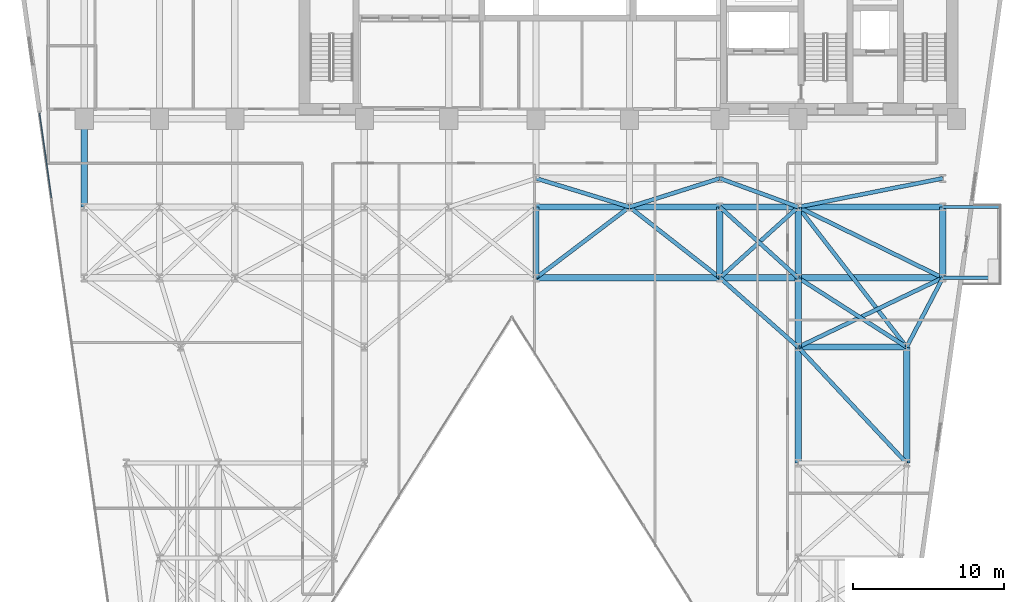
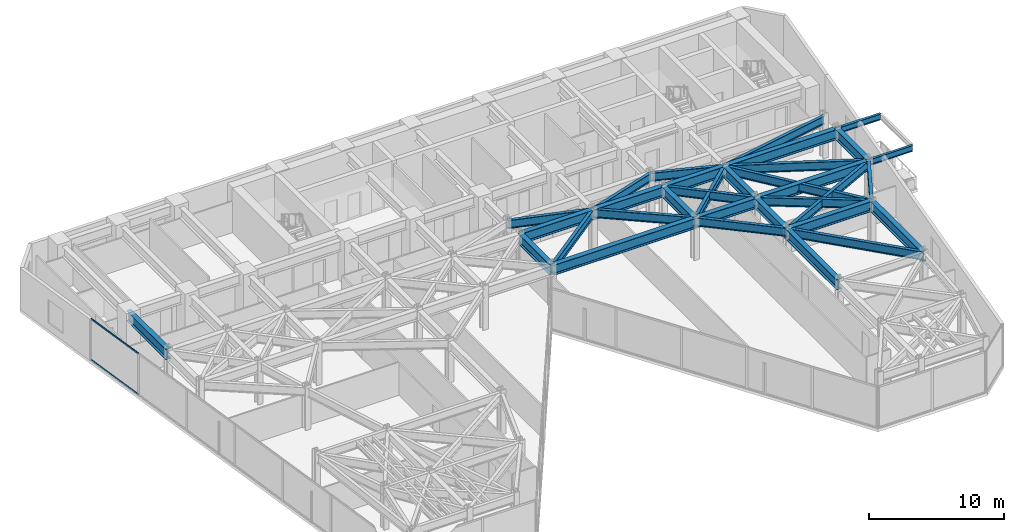
# One storey, part 16 of 24: 33 beams, 2 members, 1 element without a shape of its own.
"""IFC4 building model written with IfcOpenShell, lengths in metres."""

from ifc_helpers import new_model, si_unit, direction, frame, origin, origin_2d, place, context, subcontext, project, spatial, hollow_rectangle, i_section, extrude, material, layer, layer_set, material_profile, profile_set, type_object, element, aggregate, save


model = new_model("IFC4")

# Units and contexts
model_context = context("Model", 3, precision=1e-05, world=origin(), true_north=direction((0.0, 1.0)))
body_context = subcontext(model_context, "Body", "Model", "MODEL_VIEW")
ifc_project = project(units=[si_unit("LENGTHUNIT", "METRE"), si_unit("AREAUNIT", "SQUARE_METRE"), si_unit("VOLUMEUNIT", "CUBIC_METRE"), si_unit("PLANEANGLEUNIT", "RADIAN"), si_unit("MASSUNIT", "GRAM", prefix="KILO")], contexts=[model_context])

# Site, building, storey
site_placement = place(None, origin())
site = spatial("IfcSite", under=ifc_project, at=site_placement, CompositionType="ELEMENT")
building_placement = place(site_placement, origin())
building = spatial("IfcBuilding", under=site, at=building_placement, Name="Kravanh Interchange Tower", CompositionType="ELEMENT")
storey_placement = place(building_placement, frame((0.0, 0.0, 45.5)))
storey = spatial("IfcBuildingStorey", under=building, at=storey_placement, Name="L10", CompositionType="ELEMENT", Elevation=45.5)

# Curtain wall, members
ifc_material_1 = material(Name="Anodised Bronze Aluminium", Category="aluminium")
ifc_layer = layer(ifc_material_1, 0.179931640625)
ifc_layer_set = layer_set([ifc_layer], Name="Unitised Curtain Wall System CW-Z1 Lower Office")
curtain_wall_type = type_object("IfcCurtainWallType", Name="Unitised Curtain Wall System CW-Z1 Lower Office", PredefinedType="NOTDEFINED", material=ifc_layer_set)
curtain_wall_placement = place(storey_placement, origin())
curtain_wall = element("IfcCurtainWall", 1, at=curtain_wall_placement, inside=storey, type_object=curtain_wall_type, Name="L10 Unitised Curtain Wall CW-L10-01", PredefinedType="NOTDEFINED")
ifc_material_2 = material(Name="Anodised Bronze Aluminium", Category="aluminium")
ifc_material_profile_1 = material_profile(ifc_material_2, hollow_rectangle(XDim=0.06005859375, YDim=0.139892578125, WallThickness=0.00390625, at=origin_2d()), Name="ALU60X140X4")
ifc_profile_set_1 = profile_set([ifc_material_profile_1], Name="Anodised Bronze Aluminium")
member_type = type_object("IfcMemberType", Name="Curtain Wall Transom ALU60X140X4 Bronze", PredefinedType="USERDEFINED", material=ifc_profile_set_1)
member_1_placement = place(storey_placement, frame((6.422607421875, 32.1240234375, 0.030029296875), z_axis=(-0.139193386559, 0.990265217575, 0.0), x_axis=(-0.990265217575, -0.139193386559, 0.0)))
member_1 = element("IfcMember", 2, at=member_1_placement, type_object=member_type, Name="CW-Z1 transom 6.1", ObjectType="TRANSOM", PredefinedType="USERDEFINED", context=body_context, shape_type="SweptSolid", body=[
    extrude(hollow_rectangle(XDim=0.06005859375, YDim=0.139892578125, WallThickness=0.00390625, at=origin_2d()), origin(), (0.0, 0.0, 1.0), 5.661865234375),
])
member_2_placement = place(storey_placement, frame((6.422607421875, 32.1240234375, 3.7099609375), z_axis=(-0.139193386559, 0.990265217575, 0.0), x_axis=(-0.990265217575, -0.139193386559, 0.0)))
member_2 = element("IfcMember", 3, at=member_2_placement, type_object=member_type, Name="CW-Z1 transom 6.2", ObjectType="TRANSOM", PredefinedType="USERDEFINED", context=body_context, shape_type="SweptSolid", body=[
    extrude(hollow_rectangle(XDim=0.06005859375, YDim=0.139892578125, WallThickness=0.00390625, at=origin_2d()), origin(), (0.0, 0.0, 1.0), 5.661865234375),
])
aggregate(curtain_wall, [member_1, member_2])

# Beams
ifc_material_3 = material(Name="Structural Steel S355", Category="steel")
ifc_material_profile_2 = material_profile(ifc_material_3, i_section(OverallWidth=0.41796875, OverallDepth=0.927001953125, WebThickness=0.019287109375, FlangeThickness=0.031982421875, FilletRadius=0.028076171875, at=origin_2d()), Name="W36X231")
ifc_profile_set_2 = profile_set([ifc_material_profile_2], Name="Structural Steel S355")
beam_type_1 = type_object("IfcBeamType", Name="Floor Beam W36X231 Structural Steel S355", PredefinedType="BEAM", material=ifc_profile_set_2)
beam_1_placement = place(storey_placement, frame((8.60009765625, 37.35009765625, 3.276611328125), z_axis=(0.0, -1.0, 0.0), x_axis=(1.0, 0.0, 0.0)))
element("IfcBeam", 4, at=beam_1_placement, inside=storey, type_object=beam_type_1, Name="L10 Primary Floor Girder 36", PredefinedType="BEAM", context=body_context, shape_type="SweptSolid", body=[
    extrude(i_section(OverallWidth=0.41796875, OverallDepth=0.927001953125, WebThickness=0.019287109375, FlangeThickness=0.031982421875, FilletRadius=0.028076171875, at=origin_2d()), origin(), (0.0, 0.0, 1.0), 5.85009765625),
])
for number, where, z_axis, x_axis, name in (
    (5, (56.0, 14.5, 3.276611328125), (0.0, 1.0, 0.0), (-1.0, 0.0, 0.0), "L10 Primary Floor Girder 44"),
    (6, (63.199951171875, 14.5, 3.276611328125), (0.0, 1.0, 0.0), (-1.0, 0.0, 0.0), "L10 Primary Floor Girder 47"),
):
    element("IfcBeam", number, at=place(storey_placement, frame(where, z_axis=z_axis, x_axis=x_axis)), inside=storey, type_object=beam_type_1, Name=name, PredefinedType="BEAM", context=body_context, shape_type="SweptSolid", body=[
        extrude(i_section(OverallWidth=0.41796875, OverallDepth=0.927001953125, WebThickness=0.019287109375, FlangeThickness=0.031982421875, FilletRadius=0.028076171875, at=origin_2d()), origin(), (0.0, 0.0, 1.0), 7.699951171875),
    ])
beam_2_placement = place(storey_placement, frame((56.0, 22.199951171875, 3.276611328125), z_axis=(0.0, 1.0, 0.0), x_axis=(-1.0, 0.0, 0.0)))
element("IfcBeam", 7, at=beam_2_placement, inside=storey, type_object=beam_type_1, Name="L10 Primary Floor Girder 58", PredefinedType="BEAM", context=body_context, shape_type="SweptSolid", body=[
    extrude(i_section(OverallWidth=0.41796875, OverallDepth=0.927001953125, WebThickness=0.019287109375, FlangeThickness=0.031982421875, FilletRadius=0.028076171875, at=origin_2d()), origin(), (0.0, 0.0, 1.0), 4.60009765625),
])
beam_3_placement = place(storey_placement, frame((56.0, 22.199951171875, 3.276611328125), z_axis=(1.0, 0.0, 0.0), x_axis=(0.0, 1.0, 0.0)))
element("IfcBeam", 8, at=beam_3_placement, inside=storey, type_object=beam_type_1, Name="L10 Primary Floor Girder 60", PredefinedType="BEAM", context=body_context, shape_type="SweptSolid", body=[
    extrude(i_section(OverallWidth=0.41796875, OverallDepth=0.927001953125, WebThickness=0.019287109375, FlangeThickness=0.031982421875, FilletRadius=0.028076171875, at=origin_2d()), origin(), (0.0, 0.0, 1.0), 7.199951171875),
])
beam_4_placement = place(storey_placement, frame((38.60009765625, 26.800048828125, 3.276611328125), z_axis=(0.0, 1.0, 0.0), x_axis=(-1.0, 0.0, 0.0)))
element("IfcBeam", 9, at=beam_4_placement, inside=storey, type_object=beam_type_1, Name="L10 Primary Floor Girder 86", PredefinedType="BEAM", context=body_context, shape_type="SweptSolid", body=[
    extrude(i_section(OverallWidth=0.41796875, OverallDepth=0.927001953125, WebThickness=0.019287109375, FlangeThickness=0.031982421875, FilletRadius=0.028076171875, at=origin_2d()), origin(), (0.0, 0.0, 1.0), 4.699951171875),
])
beam_5_placement = place(storey_placement, frame((38.60009765625, 26.800048828125, 3.276611328125), z_axis=(1.0, 0.0, 0.0), x_axis=(0.0, 1.0, 0.0)))
element("IfcBeam", 10, at=beam_5_placement, inside=storey, type_object=beam_type_1, Name="L10 Primary Floor Girder 89", PredefinedType="BEAM", context=body_context, shape_type="SweptSolid", body=[
    extrude(i_section(OverallWidth=0.41796875, OverallDepth=0.927001953125, WebThickness=0.019287109375, FlangeThickness=0.031982421875, FilletRadius=0.028076171875, at=origin_2d()), origin(), (0.0, 0.0, 1.0), 12.199951171875),
])
beam_6_placement = place(storey_placement, frame((50.800048828125, 26.800048828125, 3.276611328125), z_axis=(0.0, 1.0, 0.0), x_axis=(-1.0, 0.0, 0.0)))
element("IfcBeam", 11, at=beam_6_placement, inside=storey, type_object=beam_type_1, Name="L10 Primary Floor Girder 90", PredefinedType="BEAM", context=body_context, shape_type="SweptSolid", body=[
    extrude(i_section(OverallWidth=0.41796875, OverallDepth=0.927001953125, WebThickness=0.019287109375, FlangeThickness=0.031982421875, FilletRadius=0.028076171875, at=origin_2d()), origin(), (0.0, 0.0, 1.0), 4.699951171875),
])
beam_7_placement = place(storey_placement, frame((50.800048828125, 26.800048828125, 3.276611328125), z_axis=(1.0, 0.0, 0.0), x_axis=(0.0, 1.0, 0.0)))
element("IfcBeam", 12, at=beam_7_placement, inside=storey, type_object=beam_type_1, Name="L10 Primary Floor Girder 91", PredefinedType="BEAM", context=body_context, shape_type="SweptSolid", body=[
    extrude(i_section(OverallWidth=0.41796875, OverallDepth=0.927001953125, WebThickness=0.019287109375, FlangeThickness=0.031982421875, FilletRadius=0.028076171875, at=origin_2d()), origin(), (0.0, 0.0, 1.0), 5.199951171875),
])
beam_8_placement = place(storey_placement, frame((56.0, 26.800048828125, 3.276611328125), z_axis=(0.0, 1.0, 0.0), x_axis=(-1.0, 0.0, 0.0)))
element("IfcBeam", 13, at=beam_8_placement, inside=storey, type_object=beam_type_1, Name="L10 Primary Floor Girder 94", PredefinedType="BEAM", context=body_context, shape_type="SweptSolid", body=[
    extrude(i_section(OverallWidth=0.41796875, OverallDepth=0.927001953125, WebThickness=0.019287109375, FlangeThickness=0.031982421875, FilletRadius=0.028076171875, at=origin_2d()), origin(), (0.0, 0.0, 1.0), 4.699951171875),
])
beam_9_placement = place(storey_placement, frame((56.0, 26.800048828125, 3.276611328125), z_axis=(1.0, 0.0, 0.0), x_axis=(0.0, 1.0, 0.0)))
element("IfcBeam", 14, at=beam_9_placement, inside=storey, type_object=beam_type_1, Name="L10 Primary Floor Girder 97", PredefinedType="BEAM", context=body_context, shape_type="SweptSolid", body=[
    extrude(i_section(OverallWidth=0.41796875, OverallDepth=0.927001953125, WebThickness=0.019287109375, FlangeThickness=0.031982421875, FilletRadius=0.028076171875, at=origin_2d()), origin(), (0.0, 0.0, 1.0), 9.60009765625),
])
beam_10_placement = place(storey_placement, frame((65.60009765625, 26.800048828125, 3.276611328125), z_axis=(0.0, 1.0, 0.0), x_axis=(-1.0, 0.0, 0.0)))
element("IfcBeam", 15, at=beam_10_placement, inside=storey, type_object=beam_type_1, Name="L10 Primary Floor Girder 98", PredefinedType="BEAM", context=body_context, shape_type="SweptSolid", body=[
    extrude(i_section(OverallWidth=0.41796875, OverallDepth=0.927001953125, WebThickness=0.019287109375, FlangeThickness=0.031982421875, FilletRadius=0.028076171875, at=origin_2d()), origin(), (0.0, 0.0, 1.0), 4.699951171875),
])
beam_11_placement = place(storey_placement, frame((38.60009765625, 31.5, 3.276611328125), z_axis=(1.0, 0.0, 0.0), x_axis=(0.0, 1.0, 0.0)))
element("IfcBeam", 16, at=beam_11_placement, inside=storey, type_object=beam_type_1, Name="L10 Primary Floor Girder 111", PredefinedType="BEAM", context=body_context, shape_type="SweptSolid", body=[
    extrude(i_section(OverallWidth=0.41796875, OverallDepth=0.927001953125, WebThickness=0.019287109375, FlangeThickness=0.031982421875, FilletRadius=0.028076171875, at=origin_2d()), origin(), (0.0, 0.0, 1.0), 6.199951171875),
])
beam_12_placement = place(storey_placement, frame((44.800048828125, 31.5, 3.276611328125), z_axis=(1.0, 0.0, 0.0), x_axis=(0.0, 1.0, 0.0)))
element("IfcBeam", 17, at=beam_12_placement, inside=storey, type_object=beam_type_1, Name="L10 Primary Floor Girder 113", PredefinedType="BEAM", context=body_context, shape_type="SweptSolid", body=[
    extrude(i_section(OverallWidth=0.41796875, OverallDepth=0.927001953125, WebThickness=0.019287109375, FlangeThickness=0.031982421875, FilletRadius=0.028076171875, at=origin_2d()), origin(), (0.0, 0.0, 1.0), 6.0),
])
beam_13_placement = place(storey_placement, frame((50.800048828125, 31.5, 3.276611328125), z_axis=(1.0, 0.0, 0.0), x_axis=(0.0, 1.0, 0.0)))
element("IfcBeam", 18, at=beam_13_placement, inside=storey, type_object=beam_type_1, Name="L10 Primary Floor Girder 116", PredefinedType="BEAM", context=body_context, shape_type="SweptSolid", body=[
    extrude(i_section(OverallWidth=0.41796875, OverallDepth=0.927001953125, WebThickness=0.019287109375, FlangeThickness=0.031982421875, FilletRadius=0.028076171875, at=origin_2d()), origin(), (0.0, 0.0, 1.0), 5.199951171875),
])
beam_14_placement = place(storey_placement, frame((56.0, 31.5, 3.276611328125), z_axis=(1.0, 0.0, 0.0), x_axis=(0.0, 1.0, 0.0)))
element("IfcBeam", 19, at=beam_14_placement, inside=storey, type_object=beam_type_1, Name="L10 Primary Floor Girder 119", PredefinedType="BEAM", context=body_context, shape_type="SweptSolid", body=[
    extrude(i_section(OverallWidth=0.41796875, OverallDepth=0.927001953125, WebThickness=0.019287109375, FlangeThickness=0.031982421875, FilletRadius=0.028076171875, at=origin_2d()), origin(), (0.0, 0.0, 1.0), 9.60009765625),
])
ifc_material_4 = material(Name="Structural Steel S355", Category="steel")
ifc_material_profile_3 = material_profile(ifc_material_4, i_section(OverallWidth=0.2099609375, OverallDepth=0.537109375, WebThickness=0.010986328125, FlangeThickness=0.017333984375, FilletRadius=0.02001953125, at=origin_2d()), Name="W21X68")
ifc_profile_set_3 = profile_set([ifc_material_profile_3], Name="Structural Steel S355")
beam_type_2 = type_object("IfcBeamType", Name="Floor Spandrel W21X68 Structural Steel S355", PredefinedType="SPANDREL", material=ifc_profile_set_3)
for number, where, z_axis, x_axis, name in (
    (20, (65.60009765625, 26.800048828125, 3.471435546875), (1.0, 0.0, 0.0), (0.0, 1.0, 0.0), "L10 Balcony Cantilever Outrigger E1"),
    (21, (65.60009765625, 31.5, 3.471435546875), (1.0, 0.0, 0.0), (0.0, 1.0, 0.0), "L10 Balcony Cantilever Outrigger E2"),
):
    element("IfcBeam", number, at=place(storey_placement, frame(where, z_axis=z_axis, x_axis=x_axis)), inside=storey, type_object=beam_type_2, Name=name, PredefinedType="SPANDREL", context=body_context, shape_type="SweptSolid", body=[
        extrude(i_section(OverallWidth=0.2099609375, OverallDepth=0.537109375, WebThickness=0.010986328125, FlangeThickness=0.017333984375, FilletRadius=0.02001953125, at=origin_2d()), origin(), (0.0, 0.0, 1.0), 3.72998046875),
    ])
ifc_material_5 = material(Name="Structural Steel S355", Category="steel")
ifc_material_profile_4 = material_profile(ifc_material_5, i_section(OverallWidth=0.26708984375, OverallDepth=0.761962890625, WebThickness=0.014404296875, FlangeThickness=0.021484375, FilletRadius=0.02490234375, at=origin_2d()), Name="W30X116")
ifc_profile_set_4 = profile_set([ifc_material_profile_4], Name="Structural Steel S355")
beam_type_3 = type_object("IfcBeamType", Name="Floor Spandrel W30X116 Structural Steel S355", PredefinedType="SPANDREL", material=ifc_profile_set_4)
beam_15_placement = place(storey_placement, frame((63.199951171875, 14.5, 3.35888671875), z_axis=(-0.682993762113, 0.73042420614, 0.0), x_axis=(-0.73042420614, -0.682993762113, 0.0)))
element("IfcBeam", 22, at=beam_15_placement, inside=storey, type_object=beam_type_3, Name="L10 Perimeter Spandrel 49", PredefinedType="SPANDREL", context=body_context, shape_type="SweptSolid", body=[
    extrude(i_section(OverallWidth=0.26708984375, OverallDepth=0.761962890625, WebThickness=0.014404296875, FlangeThickness=0.021484375, FilletRadius=0.02490234375, at=origin_2d()), origin(), (0.0, 0.0, 1.0), 10.541748046875),
])
beam_16_placement = place(storey_placement, frame((56.0, 22.199951171875, 3.35888671875), z_axis=(-0.74898649432, 0.662585263439, 0.0), x_axis=(-0.662585263439, -0.74898649432, 0.0)))
element("IfcBeam", 23, at=beam_16_placement, inside=storey, type_object=beam_type_3, Name="L10 Perimeter Spandrel 59", PredefinedType="SPANDREL", context=body_context, shape_type="SweptSolid", body=[
    extrude(i_section(OverallWidth=0.26708984375, OverallDepth=0.761962890625, WebThickness=0.014404296875, FlangeThickness=0.021484375, FilletRadius=0.02490234375, at=origin_2d()), origin(), (0.0, 0.0, 1.0), 6.942626953125),
])
beam_17_placement = place(storey_placement, frame((56.0, 22.199951171875, 3.35888671875), z_axis=(0.901814166789, 0.432124066188, 0.0), x_axis=(-0.432124066188, 0.901814166789, 0.0)))
element("IfcBeam", 24, at=beam_17_placement, inside=storey, type_object=beam_type_3, Name="L10 Perimeter Spandrel 61", PredefinedType="SPANDREL", context=body_context, shape_type="SweptSolid", body=[
    extrude(i_section(OverallWidth=0.26708984375, OverallDepth=0.761962890625, WebThickness=0.014404296875, FlangeThickness=0.021484375, FilletRadius=0.02490234375, at=origin_2d()), origin(), (0.0, 0.0, 1.0), 10.645263671875),
])
beam_18_placement = place(storey_placement, frame((63.199951171875, 22.199951171875, 3.35888671875), z_axis=(0.462580479178, 0.886577295155, 0.0), x_axis=(-0.886577295155, 0.462580479178, 0.0)))
element("IfcBeam", 25, at=beam_18_placement, inside=storey, type_object=beam_type_3, Name="L10 Perimeter Spandrel 62", PredefinedType="SPANDREL", context=body_context, shape_type="SweptSolid", body=[
    extrude(i_section(OverallWidth=0.26708984375, OverallDepth=0.761962890625, WebThickness=0.014404296875, FlangeThickness=0.021484375, FilletRadius=0.02490234375, at=origin_2d()), origin(), (0.0, 0.0, 1.0), 5.188720703125),
])
beam_19_placement = place(storey_placement, frame((63.199951171875, 22.199951171875, 3.35888671875), z_axis=(-0.842689417531, 0.53839998661, 0.0), x_axis=(-0.53839998661, -0.842689417531, 0.0)))
element("IfcBeam", 26, at=beam_19_placement, inside=storey, type_object=beam_type_3, Name="L10 Perimeter Spandrel 63", PredefinedType="SPANDREL", context=body_context, shape_type="SweptSolid", body=[
    extrude(i_section(OverallWidth=0.26708984375, OverallDepth=0.761962890625, WebThickness=0.014404296875, FlangeThickness=0.021484375, FilletRadius=0.02490234375, at=origin_2d()), origin(), (0.0, 0.0, 1.0), 8.5439453125),
])
beam_20_placement = place(storey_placement, frame((63.199951171875, 22.199951171875, 3.35888671875), z_axis=(-0.612168587637, 0.790727273028, 0.0), x_axis=(-0.790727273028, -0.612168587637, 0.0)))
element("IfcBeam", 27, at=beam_20_placement, inside=storey, type_object=beam_type_3, Name="L10 Perimeter Spandrel 65", PredefinedType="SPANDREL", context=body_context, shape_type="SweptSolid", body=[
    extrude(i_section(OverallWidth=0.26708984375, OverallDepth=0.761962890625, WebThickness=0.014404296875, FlangeThickness=0.021484375, FilletRadius=0.02490234375, at=origin_2d()), origin(), (0.0, 0.0, 1.0), 11.761474609375),
])
beam_21_placement = place(storey_placement, frame((38.60009765625, 26.800048828125, 3.35888671875), z_axis=(0.796905365509, 0.604104161898, 0.0), x_axis=(-0.604104161898, 0.796905365509, 0.0)))
element("IfcBeam", 28, at=beam_21_placement, inside=storey, type_object=beam_type_3, Name="L10 Perimeter Spandrel 88", PredefinedType="SPANDREL", context=body_context, shape_type="SweptSolid", body=[
    extrude(i_section(OverallWidth=0.26708984375, OverallDepth=0.761962890625, WebThickness=0.014404296875, FlangeThickness=0.021484375, FilletRadius=0.02490234375, at=origin_2d()), origin(), (0.0, 0.0, 1.0), 7.780029296875),
])
beam_22_placement = place(storey_placement, frame((50.800048828125, 26.800048828125, 3.35888671875), z_axis=(0.741874009795, 0.670539300557, 0.0), x_axis=(-0.670539300557, 0.741874009795, 0.0)))
element("IfcBeam", 29, at=beam_22_placement, inside=storey, type_object=beam_type_3, Name="L10 Perimeter Spandrel 92", PredefinedType="SPANDREL", context=body_context, shape_type="SweptSolid", body=[
    extrude(i_section(OverallWidth=0.26708984375, OverallDepth=0.761962890625, WebThickness=0.014404296875, FlangeThickness=0.021484375, FilletRadius=0.02490234375, at=origin_2d()), origin(), (0.0, 0.0, 1.0), 7.00927734375),
])
beam_23_placement = place(storey_placement, frame((50.800048828125, 26.800048828125, 3.35888671875), z_axis=(-0.787231163579, 0.616658004967, 0.0), x_axis=(-0.616658004967, -0.787231163579, 0.0)))
element("IfcBeam", 30, at=beam_23_placement, inside=storey, type_object=beam_type_3, Name="L10 Perimeter Spandrel 93", PredefinedType="SPANDREL", context=body_context, shape_type="SweptSolid", body=[
    extrude(i_section(OverallWidth=0.26708984375, OverallDepth=0.761962890625, WebThickness=0.014404296875, FlangeThickness=0.021484375, FilletRadius=0.02490234375, at=origin_2d()), origin(), (0.0, 0.0, 1.0), 7.62158203125),
])
beam_24_placement = place(storey_placement, frame((56.0, 26.800048828125, 3.35888671875), z_axis=(-0.741874009795, 0.670539300557, 0.0), x_axis=(-0.670539300557, -0.741874009795, 0.0)))
element("IfcBeam", 31, at=beam_24_placement, inside=storey, type_object=beam_type_3, Name="L10 Perimeter Spandrel 95", PredefinedType="SPANDREL", context=body_context, shape_type="SweptSolid", body=[
    extrude(i_section(OverallWidth=0.26708984375, OverallDepth=0.761962890625, WebThickness=0.014404296875, FlangeThickness=0.021484375, FilletRadius=0.02490234375, at=origin_2d()), origin(), (0.0, 0.0, 1.0), 7.00927734375),
])
beam_25_placement = place(storey_placement, frame((65.60009765625, 26.800048828125, 3.35888671875), z_axis=(-0.898141688387, 0.439706160499, 0.0), x_axis=(-0.439706160499, -0.898141688387, 0.0)))
element("IfcBeam", 32, at=beam_25_placement, inside=storey, type_object=beam_type_3, Name="L10 Perimeter Spandrel 99", PredefinedType="SPANDREL", context=body_context, shape_type="SweptSolid", body=[
    extrude(i_section(OverallWidth=0.26708984375, OverallDepth=0.761962890625, WebThickness=0.014404296875, FlangeThickness=0.021484375, FilletRadius=0.02490234375, at=origin_2d()), origin(), (0.0, 0.0, 1.0), 10.68896484375),
])
beam_26_placement = place(storey_placement, frame((44.800048828125, 31.5, 3.35888671875), z_axis=(0.953346691051, 0.301877602122, 0.0), x_axis=(-0.301877602122, 0.953346691051, 0.0)))
element("IfcBeam", 33, at=beam_26_placement, inside=storey, type_object=beam_type_3, Name="L10 Perimeter Spandrel 114", PredefinedType="SPANDREL", context=body_context, shape_type="SweptSolid", body=[
    extrude(i_section(OverallWidth=0.26708984375, OverallDepth=0.761962890625, WebThickness=0.014404296875, FlangeThickness=0.021484375, FilletRadius=0.02490234375, at=origin_2d()), origin(), (0.0, 0.0, 1.0), 6.293701171875),
])
beam_27_placement = place(storey_placement, frame((44.800048828125, 31.5, 3.35888671875), z_axis=(-0.956115397264, 0.292990353279, 0.0), x_axis=(-0.292990353279, -0.956115397264, 0.0)))
element("IfcBeam", 34, at=beam_27_placement, inside=storey, type_object=beam_type_3, Name="L10 Perimeter Spandrel 115", PredefinedType="SPANDREL", context=body_context, shape_type="SweptSolid", body=[
    extrude(i_section(OverallWidth=0.26708984375, OverallDepth=0.761962890625, WebThickness=0.014404296875, FlangeThickness=0.021484375, FilletRadius=0.02490234375, at=origin_2d()), origin(), (0.0, 0.0, 1.0), 6.484619140625),
])
beam_28_placement = place(storey_placement, frame((56.0, 31.5, 3.35888671875), z_axis=(-0.93926957103, 0.343180233896, 0.0), x_axis=(-0.343180233896, -0.93926957103, 0.0)))
element("IfcBeam", 35, at=beam_28_placement, inside=storey, type_object=beam_type_3, Name="L10 Perimeter Spandrel 118", PredefinedType="SPANDREL", context=body_context, shape_type="SweptSolid", body=[
    extrude(i_section(OverallWidth=0.26708984375, OverallDepth=0.761962890625, WebThickness=0.014404296875, FlangeThickness=0.021484375, FilletRadius=0.02490234375, at=origin_2d()), origin(), (0.0, 0.0, 1.0), 5.5361328125),
])
beam_29_placement = place(storey_placement, frame((56.0, 31.5, 3.35888671875), z_axis=(0.980974000807, 0.194139150457, 0.0), x_axis=(-0.194139150457, 0.980974000807, 0.0)))
element("IfcBeam", 36, at=beam_29_placement, inside=storey, type_object=beam_type_3, Name="L10 Perimeter Spandrel 120", PredefinedType="SPANDREL", context=body_context, shape_type="SweptSolid", body=[
    extrude(i_section(OverallWidth=0.26708984375, OverallDepth=0.761962890625, WebThickness=0.014404296875, FlangeThickness=0.021484375, FilletRadius=0.02490234375, at=origin_2d()), origin(), (0.0, 0.0, 1.0), 9.786376953125),
])

save(model, "model.ifc")
